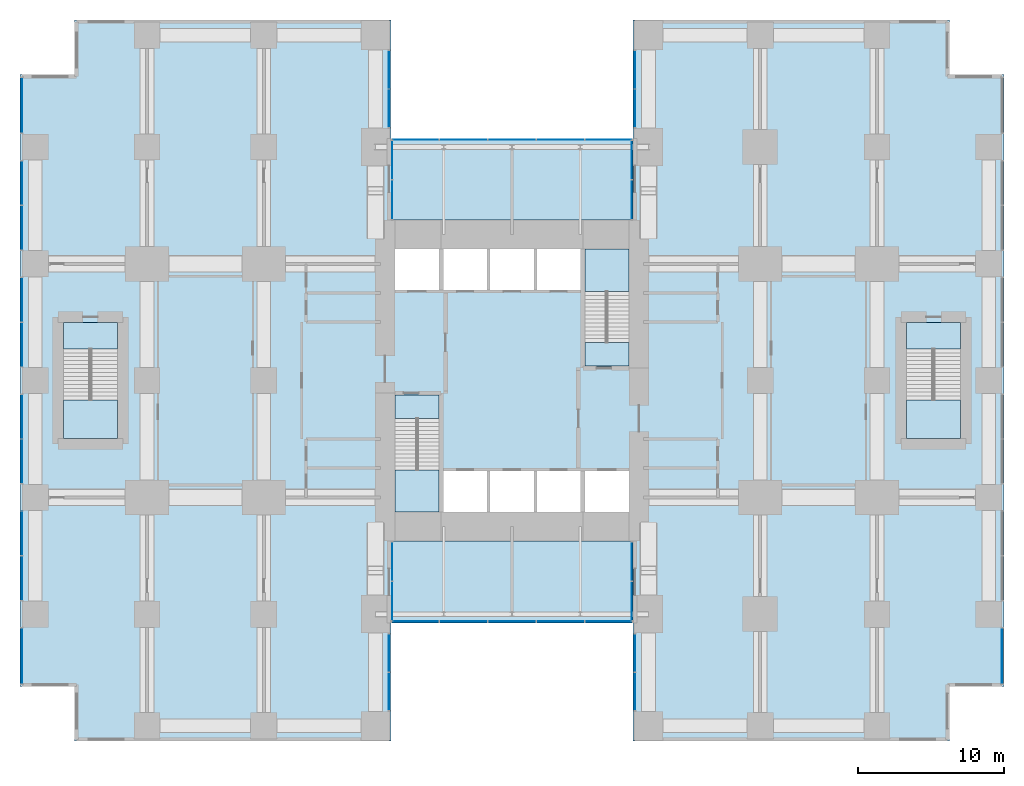
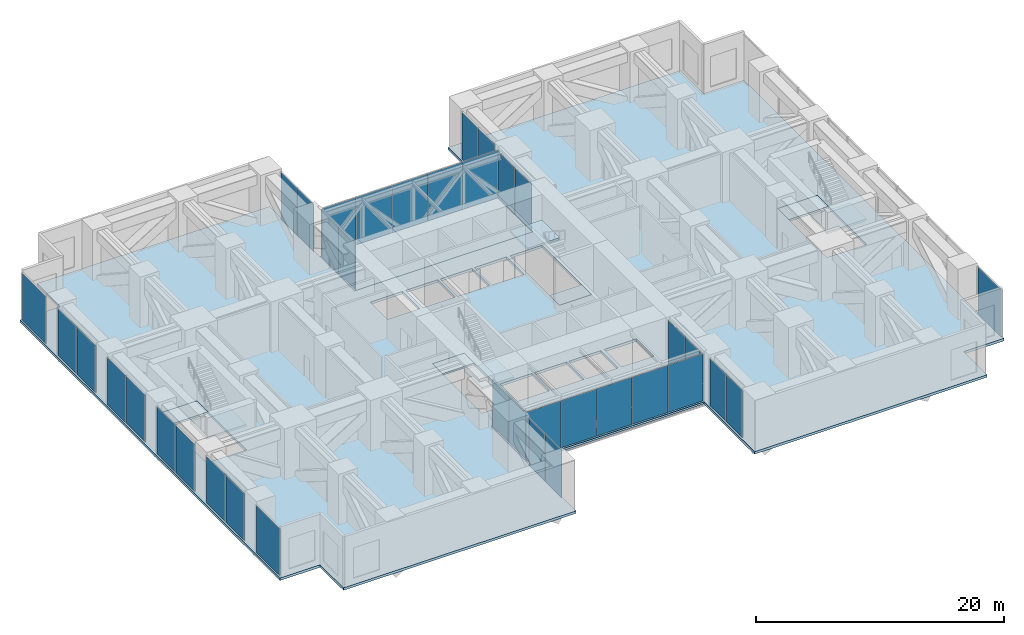
# One storey, part 13 of 19: 37 plates, 11 slabs, 21 elements without a shape of their own.
"""IFC4 building model written with IfcOpenShell, lengths in metres."""

from ifc_helpers import new_model, si_unit, direction, frame, origin, origin_2d, place, context, subcontext, project, spatial, polyline, rectangle, outline, extrude, material, layer, layer_set, type_object, element, aggregate, save


model = new_model("IFC4")

# Units and contexts
model_context = context("Model", 3, precision=1e-05, world=origin(), true_north=direction((0.0, 1.0)))
body_context = subcontext(model_context, "Body", "Model", "MODEL_VIEW")
ifc_project = project(units=[si_unit("LENGTHUNIT", "METRE"), si_unit("AREAUNIT", "SQUARE_METRE"), si_unit("VOLUMEUNIT", "CUBIC_METRE"), si_unit("PLANEANGLEUNIT", "RADIAN"), si_unit("MASSUNIT", "GRAM", prefix="KILO")], contexts=[model_context])

# Site, building, storey
site_placement = place(None, origin())
site = spatial("IfcSite", under=ifc_project, at=site_placement, CompositionType="ELEMENT")
building_placement = place(site_placement, origin())
building = spatial("IfcBuilding", under=site, at=building_placement, Name="Cleftline Residences", CompositionType="ELEMENT")
storey_placement = place(building_placement, frame((0.0, 0.0, 177.199951171875)))
storey = spatial("IfcBuildingStorey", under=building, at=storey_placement, Name="L46", CompositionType="ELEMENT", Elevation=177.199951171875)

# Slabs
ifc_material_1 = material(Name="Concrete B45", Category="concrete")
ifc_layer_1 = layer(ifc_material_1, 0.199951171875)
ifc_layer_set_1 = layer_set([ifc_layer_1], Name="BRIDGE FLOOR SLAB 200")
slab_type_1 = type_object("IfcSlabType", Name="BRIDGE FLOOR SLAB 200", PredefinedType="FLOOR", material=ifc_layer_set_1)
slab_1_placement = place(storey_placement, frame((0.0, 0.0, -0.199951171875)))
element("IfcSlab", 1, at=slab_1_placement, inside=storey, type_object=slab_type_1, Name="Sky bridge floor L46 N", PredefinedType="FLOOR", context=body_context, shape_type="SweptSolid", body=[
    extrude(outline(polyline([(41.300048828125, 35.0), (41.300048828125, 40.60009765625), (24.699951171875, 40.60009765625), (24.699951171875, 35.0), (41.300048828125, 35.0)])), origin(), (0.0, 0.0, 1.0), 0.199951171875),
])
slab_2_placement = place(storey_placement, frame((0.0, 0.0, -0.199951171875)))
element("IfcSlab", 2, at=slab_2_placement, inside=storey, type_object=slab_type_1, Name="Sky bridge floor L46 S", PredefinedType="FLOOR", context=body_context, shape_type="SweptSolid", body=[
    extrude(outline(polyline([(41.300048828125, 7.39990234375), (41.300048828125, 13.0), (24.699951171875, 13.0), (24.699951171875, 7.39990234375), (41.300048828125, 7.39990234375)])), origin(), (0.0, 0.0, 1.0), 0.199951171875),
])

# Curtain wall, plates
ifc_material_2 = material(Name="Aluminium framed curtain wall", Category="aluminium")
ifc_layer_2 = layer(ifc_material_2, 0.199951171875)
ifc_layer_set_2 = layer_set([ifc_layer_2], Name="CW1 CLEFT GLAZING")
curtain_wall_type_1 = type_object("IfcCurtainWallType", Name="CW1 CLEFT GLAZING", PredefinedType="NOTDEFINED", material=ifc_layer_set_2)
curtain_wall_1_placement = place(storey_placement, origin())
curtain_wall_1 = element("IfcCurtainWall", 3, at=curtain_wall_1_placement, inside=storey, type_object=curtain_wall_type_1, Name="Curtain wall CW1", PredefinedType="NOTDEFINED")
ifc_material_3 = material(Name="Insulated aluminium panel", Category="aluminium")
ifc_layer_3 = layer(ifc_material_3, 0.028076171875)
ifc_layer_set_3 = layer_set([ifc_layer_3], Name="CW1 INSULATED PANEL")
plate_type_1 = type_object("IfcPlateType", Name="CW1 INSULATED PANEL", PredefinedType="USERDEFINED", material=ifc_layer_set_3)
plate_1_placement = place(storey_placement, frame((24.574951171875, 2.702392578125, 0.06005859375), z_axis=(0.0, 0.0, 1.0), x_axis=(0.0, 1.0, 0.0)))
plate_1 = element("IfcPlate", 4, at=plate_1_placement, type_object=plate_type_1, Name="CW1 panel 1.1", ObjectType="INSULATED PANEL", PredefinedType="USERDEFINED", context=body_context, shape_type="SweptSolid", body=[
    extrude(rectangle(XDim=2.5849609375, YDim=0.028076171875, at=origin_2d()), origin(), (0.0, 0.0, 1.0), 4.6298828125),
])
plate_2_placement = place(storey_placement, frame((24.574951171875, 5.347412109375, 0.06005859375), z_axis=(0.0, 0.0, 1.0), x_axis=(0.0, 1.0, 0.0)))
plate_2 = element("IfcPlate", 5, at=plate_2_placement, type_object=plate_type_1, Name="CW1 panel 2.1", ObjectType="INSULATED PANEL", PredefinedType="USERDEFINED", context=body_context, shape_type="SweptSolid", body=[
    extrude(rectangle(XDim=2.5849609375, YDim=0.028076171875, at=origin_2d()), origin(), (0.0, 0.0, 1.0), 4.6298828125),
])
aggregate(curtain_wall_1, [plate_1, plate_2])

curtain_wall_2_placement = place(storey_placement, origin())
curtain_wall_2 = element("IfcCurtainWall", 6, at=curtain_wall_2_placement, inside=storey, type_object=curtain_wall_type_1, Name="Curtain wall CW1", PredefinedType="NOTDEFINED")
plate_3_placement = place(storey_placement, frame((41.425048828125, 5.347412109375, 0.06005859375), z_axis=(0.0, 0.0, 1.0), x_axis=(0.0, -1.0, 0.0)))
plate_3 = element("IfcPlate", 7, at=plate_3_placement, type_object=plate_type_1, Name="CW1 panel 1.1", ObjectType="INSULATED PANEL", PredefinedType="USERDEFINED", context=body_context, shape_type="SweptSolid", body=[
    extrude(rectangle(XDim=2.5849609375, YDim=0.028076171875, at=origin_2d()), origin(), (0.0, 0.0, 1.0), 4.6298828125),
])
plate_4_placement = place(storey_placement, frame((41.425048828125, 2.702392578125, 0.06005859375), z_axis=(0.0, 0.0, 1.0), x_axis=(0.0, -1.0, 0.0)))
plate_4 = element("IfcPlate", 8, at=plate_4_placement, type_object=plate_type_1, Name="CW1 panel 2.1", ObjectType="INSULATED PANEL", PredefinedType="USERDEFINED", context=body_context, shape_type="SweptSolid", body=[
    extrude(rectangle(XDim=2.5849609375, YDim=0.028076171875, at=origin_2d()), origin(), (0.0, 0.0, 1.0), 4.6298828125),
])
aggregate(curtain_wall_2, [plate_3, plate_4])

curtain_wall_3_placement = place(storey_placement, origin())
curtain_wall_3 = element("IfcCurtainWall", 9, at=curtain_wall_3_placement, inside=storey, type_object=curtain_wall_type_1, Name="Curtain wall CW1", PredefinedType="NOTDEFINED")
plate_5_placement = place(storey_placement, frame((41.425048828125, 45.297607421875, 0.06005859375), z_axis=(0.0, 0.0, 1.0), x_axis=(0.0, -1.0, 0.0)))
plate_5 = element("IfcPlate", 10, at=plate_5_placement, type_object=plate_type_1, Name="CW1 panel 1.1", ObjectType="INSULATED PANEL", PredefinedType="USERDEFINED", context=body_context, shape_type="SweptSolid", body=[
    extrude(rectangle(XDim=2.5849609375, YDim=0.028076171875, at=origin_2d()), origin(), (0.0, 0.0, 1.0), 4.6298828125),
])
plate_6_placement = place(storey_placement, frame((41.425048828125, 42.652587890625, 0.06005859375), z_axis=(0.0, 0.0, 1.0), x_axis=(0.0, -1.0, 0.0)))
plate_6 = element("IfcPlate", 11, at=plate_6_placement, type_object=plate_type_1, Name="CW1 panel 2.1", ObjectType="INSULATED PANEL", PredefinedType="USERDEFINED", context=body_context, shape_type="SweptSolid", body=[
    extrude(rectangle(XDim=2.5849609375, YDim=0.028076171875, at=origin_2d()), origin(), (0.0, 0.0, 1.0), 4.6298828125),
])
aggregate(curtain_wall_3, [plate_5, plate_6])

curtain_wall_4_placement = place(storey_placement, origin())
curtain_wall_4 = element("IfcCurtainWall", 12, at=curtain_wall_4_placement, inside=storey, type_object=curtain_wall_type_1, Name="Curtain wall CW1", PredefinedType="NOTDEFINED")
plate_7_placement = place(storey_placement, frame((24.574951171875, 42.652587890625, 0.06005859375), z_axis=(0.0, 0.0, 1.0), x_axis=(0.0, 1.0, 0.0)))
plate_7 = element("IfcPlate", 13, at=plate_7_placement, type_object=plate_type_1, Name="CW1 panel 1.1", ObjectType="INSULATED PANEL", PredefinedType="USERDEFINED", context=body_context, shape_type="SweptSolid", body=[
    extrude(rectangle(XDim=2.5849609375, YDim=0.028076171875, at=origin_2d()), origin(), (0.0, 0.0, 1.0), 4.6298828125),
])
plate_8_placement = place(storey_placement, frame((24.574951171875, 45.297607421875, 0.06005859375), z_axis=(0.0, 0.0, 1.0), x_axis=(0.0, 1.0, 0.0)))
plate_8 = element("IfcPlate", 14, at=plate_8_placement, type_object=plate_type_1, Name="CW1 panel 2.1", ObjectType="INSULATED PANEL", PredefinedType="USERDEFINED", context=body_context, shape_type="SweptSolid", body=[
    extrude(rectangle(XDim=2.5849609375, YDim=0.028076171875, at=origin_2d()), origin(), (0.0, 0.0, 1.0), 4.6298828125),
])
aggregate(curtain_wall_4, [plate_7, plate_8])

ifc_material_4 = material(Name="Aluminium framed curtain wall", Category="aluminium")
ifc_layer_4 = layer(ifc_material_4, 0.199951171875)
ifc_layer_set_4 = layer_set([ifc_layer_4], Name="CW3 BRIDGE GLAZING")
curtain_wall_type_2 = type_object("IfcCurtainWallType", Name="CW3 BRIDGE GLAZING", PredefinedType="NOTDEFINED", material=ifc_layer_set_4)
curtain_wall_5_placement = place(storey_placement, origin())
curtain_wall_5 = element("IfcCurtainWall", 15, at=curtain_wall_5_placement, inside=storey, type_object=curtain_wall_type_2, Name="Curtain wall CW3", PredefinedType="NOTDEFINED")
ifc_material_5 = material(Name="Insulated aluminium panel", Category="aluminium")
ifc_layer_5 = layer(ifc_material_5, 0.028076171875)
ifc_layer_set_5 = layer_set([ifc_layer_5], Name="CW3 INSULATED PANEL")
plate_type_2 = type_object("IfcPlateType", Name="CW3 INSULATED PANEL", PredefinedType="USERDEFINED", material=ifc_layer_set_5)
plate_9_placement = place(storey_placement, frame((39.625, 40.5, 0.06005859375), z_axis=(0.0, 0.0, 1.0), x_axis=(-1.0, 0.0, 0.0)))
plate_9 = element("IfcPlate", 16, at=plate_9_placement, type_object=plate_type_2, Name="CW3 panel 1.1", ObjectType="INSULATED PANEL", PredefinedType="USERDEFINED", context=body_context, shape_type="SweptSolid", body=[
    extrude(rectangle(XDim=3.22998046875, YDim=0.028076171875, at=origin_2d()), origin(), (0.0, 0.0, 1.0), 4.6298828125),
])
plate_10_placement = place(storey_placement, frame((36.320068359375, 40.5, 0.06005859375), z_axis=(0.0, 0.0, 1.0), x_axis=(-1.0, 0.0, 0.0)))
plate_10 = element("IfcPlate", 17, at=plate_10_placement, type_object=plate_type_2, Name="CW3 panel 2.1", ObjectType="INSULATED PANEL", PredefinedType="USERDEFINED", context=body_context, shape_type="SweptSolid", body=[
    extrude(rectangle(XDim=3.260009765625, YDim=0.028076171875, at=origin_2d()), origin(), (0.0, 0.0, 1.0), 4.6298828125),
])
plate_11_placement = place(storey_placement, frame((33.0, 40.5, 0.06005859375), z_axis=(0.0, 0.0, 1.0), x_axis=(-1.0, 0.0, 0.0)))
plate_11 = element("IfcPlate", 18, at=plate_11_placement, type_object=plate_type_2, Name="CW3 panel 3.1", ObjectType="INSULATED PANEL", PredefinedType="USERDEFINED", context=body_context, shape_type="SweptSolid", body=[
    extrude(rectangle(XDim=3.260009765625, YDim=0.028076171875, at=origin_2d()), origin(), (0.0, 0.0, 1.0), 4.6298828125),
])
plate_12_placement = place(storey_placement, frame((29.679931640625, 40.5, 0.06005859375), z_axis=(0.0, 0.0, 1.0), x_axis=(-1.0, 0.0, 0.0)))
plate_12 = element("IfcPlate", 19, at=plate_12_placement, type_object=plate_type_2, Name="CW3 panel 4.1", ObjectType="INSULATED PANEL", PredefinedType="USERDEFINED", context=body_context, shape_type="SweptSolid", body=[
    extrude(rectangle(XDim=3.260009765625, YDim=0.028076171875, at=origin_2d()), origin(), (0.0, 0.0, 1.0), 4.6298828125),
])
plate_13_placement = place(storey_placement, frame((26.375, 40.5, 0.06005859375), z_axis=(0.0, 0.0, 1.0), x_axis=(-1.0, 0.0, 0.0)))
plate_13 = element("IfcPlate", 20, at=plate_13_placement, type_object=plate_type_2, Name="CW3 panel 5.1", ObjectType="INSULATED PANEL", PredefinedType="USERDEFINED", context=body_context, shape_type="SweptSolid", body=[
    extrude(rectangle(XDim=3.22998046875, YDim=0.028076171875, at=origin_2d()), origin(), (0.0, 0.0, 1.0), 4.6298828125),
])
aggregate(curtain_wall_5, [plate_9, plate_10, plate_11, plate_12, plate_13])

curtain_wall_6_placement = place(storey_placement, origin())
curtain_wall_6 = element("IfcCurtainWall", 21, at=curtain_wall_6_placement, inside=storey, type_object=curtain_wall_type_2, Name="Curtain wall CW3", PredefinedType="NOTDEFINED")
plate_14_placement = place(storey_placement, frame((24.800048828125, 36.389892578125, 0.06005859375), z_axis=(0.0, 0.0, 1.0), x_axis=(0.0, 1.0, 0.0)))
plate_14 = element("IfcPlate", 22, at=plate_14_placement, type_object=plate_type_2, Name="CW3 panel 1.1", ObjectType="INSULATED PANEL", PredefinedType="USERDEFINED", context=body_context, shape_type="SweptSolid", body=[
    extrude(rectangle(XDim=2.659912109375, YDim=0.028076171875, at=origin_2d()), origin(), (0.0, 0.0, 1.0), 4.6298828125),
])
plate_15_placement = place(storey_placement, frame((24.800048828125, 39.110107421875, 0.06005859375), z_axis=(0.0, 0.0, 1.0), x_axis=(0.0, 1.0, 0.0)))
plate_15 = element("IfcPlate", 23, at=plate_15_placement, type_object=plate_type_2, Name="CW3 panel 2.1", ObjectType="INSULATED PANEL", PredefinedType="USERDEFINED", context=body_context, shape_type="SweptSolid", body=[
    extrude(rectangle(XDim=2.659912109375, YDim=0.028076171875, at=origin_2d()), origin(), (0.0, 0.0, 1.0), 4.6298828125),
])
aggregate(curtain_wall_6, [plate_14, plate_15])

curtain_wall_7_placement = place(storey_placement, origin())
curtain_wall_7 = element("IfcCurtainWall", 24, at=curtain_wall_7_placement, inside=storey, type_object=curtain_wall_type_2, Name="Curtain wall CW3", PredefinedType="NOTDEFINED")
plate_16_placement = place(storey_placement, frame((41.199951171875, 39.110107421875, 0.06005859375), z_axis=(0.0, 0.0, 1.0), x_axis=(0.0, -1.0, 0.0)))
plate_16 = element("IfcPlate", 25, at=plate_16_placement, type_object=plate_type_2, Name="CW3 panel 1.1", ObjectType="INSULATED PANEL", PredefinedType="USERDEFINED", context=body_context, shape_type="SweptSolid", body=[
    extrude(rectangle(XDim=2.659912109375, YDim=0.028076171875, at=origin_2d()), origin(), (0.0, 0.0, 1.0), 4.6298828125),
])
plate_17_placement = place(storey_placement, frame((41.199951171875, 36.389892578125, 0.06005859375), z_axis=(0.0, 0.0, 1.0), x_axis=(0.0, -1.0, 0.0)))
plate_17 = element("IfcPlate", 26, at=plate_17_placement, type_object=plate_type_2, Name="CW3 panel 2.1", ObjectType="INSULATED PANEL", PredefinedType="USERDEFINED", context=body_context, shape_type="SweptSolid", body=[
    extrude(rectangle(XDim=2.659912109375, YDim=0.028076171875, at=origin_2d()), origin(), (0.0, 0.0, 1.0), 4.6298828125),
])
aggregate(curtain_wall_7, [plate_16, plate_17])

curtain_wall_8_placement = place(storey_placement, origin())
curtain_wall_8 = element("IfcCurtainWall", 27, at=curtain_wall_8_placement, inside=storey, type_object=curtain_wall_type_2, Name="Curtain wall CW3", PredefinedType="NOTDEFINED")
plate_18_placement = place(storey_placement, frame((26.375, 7.5, 0.06005859375), z_axis=(0.0, 0.0, 1.0), x_axis=(1.0, 0.0, 0.0)))
plate_18 = element("IfcPlate", 28, at=plate_18_placement, type_object=plate_type_2, Name="CW3 panel 1.1", ObjectType="INSULATED PANEL", PredefinedType="USERDEFINED", context=body_context, shape_type="SweptSolid", body=[
    extrude(rectangle(XDim=3.22998046875, YDim=0.028076171875, at=origin_2d()), origin(), (0.0, 0.0, 1.0), 4.6298828125),
])
plate_19_placement = place(storey_placement, frame((29.679931640625, 7.5, 0.06005859375), z_axis=(0.0, 0.0, 1.0), x_axis=(1.0, 0.0, 0.0)))
plate_19 = element("IfcPlate", 29, at=plate_19_placement, type_object=plate_type_2, Name="CW3 panel 2.1", ObjectType="INSULATED PANEL", PredefinedType="USERDEFINED", context=body_context, shape_type="SweptSolid", body=[
    extrude(rectangle(XDim=3.260009765625, YDim=0.028076171875, at=origin_2d()), origin(), (0.0, 0.0, 1.0), 4.6298828125),
])
plate_20_placement = place(storey_placement, frame((33.0, 7.5, 0.06005859375), z_axis=(0.0, 0.0, 1.0), x_axis=(1.0, 0.0, 0.0)))
plate_20 = element("IfcPlate", 30, at=plate_20_placement, type_object=plate_type_2, Name="CW3 panel 3.1", ObjectType="INSULATED PANEL", PredefinedType="USERDEFINED", context=body_context, shape_type="SweptSolid", body=[
    extrude(rectangle(XDim=3.260009765625, YDim=0.028076171875, at=origin_2d()), origin(), (0.0, 0.0, 1.0), 4.6298828125),
])
plate_21_placement = place(storey_placement, frame((36.320068359375, 7.5, 0.06005859375), z_axis=(0.0, 0.0, 1.0), x_axis=(1.0, 0.0, 0.0)))
plate_21 = element("IfcPlate", 31, at=plate_21_placement, type_object=plate_type_2, Name="CW3 panel 4.1", ObjectType="INSULATED PANEL", PredefinedType="USERDEFINED", context=body_context, shape_type="SweptSolid", body=[
    extrude(rectangle(XDim=3.260009765625, YDim=0.028076171875, at=origin_2d()), origin(), (0.0, 0.0, 1.0), 4.6298828125),
])
plate_22_placement = place(storey_placement, frame((39.625, 7.5, 0.06005859375), z_axis=(0.0, 0.0, 1.0), x_axis=(1.0, 0.0, 0.0)))
plate_22 = element("IfcPlate", 32, at=plate_22_placement, type_object=plate_type_2, Name="CW3 panel 5.1", ObjectType="INSULATED PANEL", PredefinedType="USERDEFINED", context=body_context, shape_type="SweptSolid", body=[
    extrude(rectangle(XDim=3.22998046875, YDim=0.028076171875, at=origin_2d()), origin(), (0.0, 0.0, 1.0), 4.6298828125),
])
aggregate(curtain_wall_8, [plate_18, plate_19, plate_20, plate_21, plate_22])

curtain_wall_9_placement = place(storey_placement, origin())
curtain_wall_9 = element("IfcCurtainWall", 33, at=curtain_wall_9_placement, inside=storey, type_object=curtain_wall_type_2, Name="Curtain wall CW3", PredefinedType="NOTDEFINED")
plate_23_placement = place(storey_placement, frame((24.800048828125, 8.889892578125, 0.06005859375), z_axis=(0.0, 0.0, 1.0), x_axis=(0.0, 1.0, 0.0)))
plate_23 = element("IfcPlate", 34, at=plate_23_placement, type_object=plate_type_2, Name="CW3 panel 1.1", ObjectType="INSULATED PANEL", PredefinedType="USERDEFINED", context=body_context, shape_type="SweptSolid", body=[
    extrude(rectangle(XDim=2.659912109375, YDim=0.028076171875, at=origin_2d()), origin(), (0.0, 0.0, 1.0), 4.6298828125),
])
plate_24_placement = place(storey_placement, frame((24.800048828125, 11.610107421875, 0.06005859375), z_axis=(0.0, 0.0, 1.0), x_axis=(0.0, 1.0, 0.0)))
plate_24 = element("IfcPlate", 35, at=plate_24_placement, type_object=plate_type_2, Name="CW3 panel 2.1", ObjectType="INSULATED PANEL", PredefinedType="USERDEFINED", context=body_context, shape_type="SweptSolid", body=[
    extrude(rectangle(XDim=2.659912109375, YDim=0.028076171875, at=origin_2d()), origin(), (0.0, 0.0, 1.0), 4.6298828125),
])
aggregate(curtain_wall_9, [plate_23, plate_24])

curtain_wall_10_placement = place(storey_placement, origin())
curtain_wall_10 = element("IfcCurtainWall", 36, at=curtain_wall_10_placement, inside=storey, type_object=curtain_wall_type_2, Name="Curtain wall CW3", PredefinedType="NOTDEFINED")
plate_25_placement = place(storey_placement, frame((41.199951171875, 11.610107421875, 0.06005859375), z_axis=(0.0, 0.0, 1.0), x_axis=(0.0, -1.0, 0.0)))
plate_25 = element("IfcPlate", 37, at=plate_25_placement, type_object=plate_type_2, Name="CW3 panel 1.1", ObjectType="INSULATED PANEL", PredefinedType="USERDEFINED", context=body_context, shape_type="SweptSolid", body=[
    extrude(rectangle(XDim=2.659912109375, YDim=0.028076171875, at=origin_2d()), origin(), (0.0, 0.0, 1.0), 4.6298828125),
])
plate_26_placement = place(storey_placement, frame((41.199951171875, 8.889892578125, 0.06005859375), z_axis=(0.0, 0.0, 1.0), x_axis=(0.0, -1.0, 0.0)))
plate_26 = element("IfcPlate", 38, at=plate_26_placement, type_object=plate_type_2, Name="CW3 panel 2.1", ObjectType="INSULATED PANEL", PredefinedType="USERDEFINED", context=body_context, shape_type="SweptSolid", body=[
    extrude(rectangle(XDim=2.659912109375, YDim=0.028076171875, at=origin_2d()), origin(), (0.0, 0.0, 1.0), 4.6298828125),
])
aggregate(curtain_wall_10, [plate_25, plate_26])

# Curtain wall, plate
ifc_material_6 = material(Name="Aluminium framed curtain wall", Category="aluminium")
ifc_layer_6 = layer(ifc_material_6, 0.199951171875)
ifc_layer_set_6 = layer_set([ifc_layer_6], Name="CW4 SKY LOUNGE GLAZING")
curtain_wall_type_3 = type_object("IfcCurtainWallType", Name="CW4 SKY LOUNGE GLAZING", PredefinedType="NOTDEFINED", material=ifc_layer_set_6)
curtain_wall_11_placement = place(storey_placement, origin())
curtain_wall_11 = element("IfcCurtainWall", 39, at=curtain_wall_11_placement, inside=storey, type_object=curtain_wall_type_3, Name="Curtain wall CW4", PredefinedType="NOTDEFINED")
ifc_material_7 = material(Name="Laminated clear glass", Category="glass")
ifc_layer_7 = layer(ifc_material_7, 0.028076171875)
ifc_layer_set_7 = layer_set([ifc_layer_7], Name="CW4 GLASS PANEL")
plate_type_3 = type_object("IfcPlateType", Name="CW4 GLASS PANEL", PredefinedType="CURTAIN_PANEL", material=ifc_layer_set_7)
plate_27_placement = place(storey_placement, frame((66.574951171875, 5.137451171875, 0.06494140625), z_axis=(0.0, 0.0, 1.0), x_axis=(0.0, 1.0, 0.0)))
plate_27 = element("IfcPlate", 40, at=plate_27_placement, type_object=plate_type_3, Name="CW4 panel 1.1", PredefinedType="CURTAIN_PANEL", context=body_context, shape_type="SweptSolid", body=[
    extrude(rectangle(XDim=3.794921875, YDim=0.028076171875, at=origin_2d()), origin(), (0.0, 0.0, 1.0), 4.6201171875),
])
aggregate(curtain_wall_11, [plate_27])

curtain_wall_12_placement = place(storey_placement, origin())
curtain_wall_12 = element("IfcCurtainWall", 41, at=curtain_wall_12_placement, inside=storey, type_object=curtain_wall_type_3, Name="Curtain wall CW4", PredefinedType="NOTDEFINED")
plate_28_placement = place(storey_placement, frame((-0.574951171875, 42.862548828125, 0.06494140625), z_axis=(0.0, 0.0, 1.0), x_axis=(0.0, -1.0, 0.0)))
plate_28 = element("IfcPlate", 42, at=plate_28_placement, type_object=plate_type_3, Name="CW4 panel 1.1", PredefinedType="CURTAIN_PANEL", context=body_context, shape_type="SweptSolid", body=[
    extrude(rectangle(XDim=3.794921875, YDim=0.028076171875, at=origin_2d()), origin(), (0.0, 0.0, 1.0), 4.6201171875),
])
aggregate(curtain_wall_12, [plate_28])

curtain_wall_13_placement = place(storey_placement, origin())
curtain_wall_13 = element("IfcCurtainWall", 43, at=curtain_wall_13_placement, inside=storey, type_object=curtain_wall_type_3, Name="Curtain wall CW4", PredefinedType="NOTDEFINED")
plate_29_placement = place(storey_placement, frame((-0.574951171875, 5.137451171875, 0.06494140625), z_axis=(0.0, 0.0, 1.0), x_axis=(0.0, -1.0, 0.0)))
plate_29 = element("IfcPlate", 44, at=plate_29_placement, type_object=plate_type_3, Name="CW4 panel 1.1", PredefinedType="CURTAIN_PANEL", context=body_context, shape_type="SweptSolid", body=[
    extrude(rectangle(XDim=3.794921875, YDim=0.028076171875, at=origin_2d()), origin(), (0.0, 0.0, 1.0), 4.6201171875),
])
aggregate(curtain_wall_13, [plate_29])

# Curtain wall, plates
curtain_wall_14_placement = place(storey_placement, origin())
curtain_wall_14 = element("IfcCurtainWall", 45, at=curtain_wall_14_placement, inside=storey, type_object=curtain_wall_type_3, Name="Curtain wall CW4", PredefinedType="NOTDEFINED")
ifc_material_8 = material(Name="Insulated aluminium panel", Category="aluminium")
ifc_layer_8 = layer(ifc_material_8, 0.028076171875)
ifc_layer_set_8 = layer_set([ifc_layer_8], Name="CW4 INSULATED PANEL")
plate_type_4 = type_object("IfcPlateType", Name="CW4 INSULATED PANEL", PredefinedType="USERDEFINED", material=ifc_layer_set_8)
plate_30_placement = place(storey_placement, frame((-0.574951171875, 37.53369140625, 0.06494140625), z_axis=(0.0, 0.0, 1.0), x_axis=(0.0, -1.0, 0.0)))
plate_30 = element("IfcPlate", 46, at=plate_30_placement, type_object=plate_type_4, Name="CW4 panel 1.1", ObjectType="INSULATED PANEL", PredefinedType="USERDEFINED", context=body_context, shape_type="SweptSolid", body=[
    extrude(rectangle(XDim=3.00244140625, YDim=0.028076171875, at=origin_2d()), origin(), (0.0, 0.0, 1.0), 4.6201171875),
])
plate_31_placement = place(storey_placement, frame((-0.574951171875, 34.46630859375, 0.06494140625), z_axis=(0.0, 0.0, 1.0), x_axis=(0.0, -1.0, 0.0)))
plate_31 = element("IfcPlate", 47, at=plate_31_placement, type_object=plate_type_4, Name="CW4 panel 2.1", ObjectType="INSULATED PANEL", PredefinedType="USERDEFINED", context=body_context, shape_type="SweptSolid", body=[
    extrude(rectangle(XDim=3.00244140625, YDim=0.028076171875, at=origin_2d()), origin(), (0.0, 0.0, 1.0), 4.6201171875),
])
aggregate(curtain_wall_14, [plate_30, plate_31])

curtain_wall_15_placement = place(storey_placement, origin())
curtain_wall_15 = element("IfcCurtainWall", 48, at=curtain_wall_15_placement, inside=storey, type_object=curtain_wall_type_3, Name="Curtain wall CW4", PredefinedType="NOTDEFINED")
plate_32_placement = place(storey_placement, frame((-0.574951171875, 29.53369140625, 0.06494140625), z_axis=(0.0, 0.0, 1.0), x_axis=(0.0, -1.0, 0.0)))
plate_32 = element("IfcPlate", 49, at=plate_32_placement, type_object=plate_type_4, Name="CW4 panel 1.1", ObjectType="INSULATED PANEL", PredefinedType="USERDEFINED", context=body_context, shape_type="SweptSolid", body=[
    extrude(rectangle(XDim=3.00244140625, YDim=0.028076171875, at=origin_2d()), origin(), (0.0, 0.0, 1.0), 4.6201171875),
])
plate_33_placement = place(storey_placement, frame((-0.574951171875, 26.46630859375, 0.06494140625), z_axis=(0.0, 0.0, 1.0), x_axis=(0.0, -1.0, 0.0)))
plate_33 = element("IfcPlate", 50, at=plate_33_placement, type_object=plate_type_4, Name="CW4 panel 2.1", ObjectType="INSULATED PANEL", PredefinedType="USERDEFINED", context=body_context, shape_type="SweptSolid", body=[
    extrude(rectangle(XDim=3.00244140625, YDim=0.028076171875, at=origin_2d()), origin(), (0.0, 0.0, 1.0), 4.6201171875),
])
aggregate(curtain_wall_15, [plate_32, plate_33])

curtain_wall_16_placement = place(storey_placement, origin())
curtain_wall_16 = element("IfcCurtainWall", 51, at=curtain_wall_16_placement, inside=storey, type_object=curtain_wall_type_3, Name="Curtain wall CW4", PredefinedType="NOTDEFINED")
plate_34_placement = place(storey_placement, frame((-0.574951171875, 21.53369140625, 0.06494140625), z_axis=(0.0, 0.0, 1.0), x_axis=(0.0, -1.0, 0.0)))
plate_34 = element("IfcPlate", 52, at=plate_34_placement, type_object=plate_type_4, Name="CW4 panel 1.1", ObjectType="INSULATED PANEL", PredefinedType="USERDEFINED", context=body_context, shape_type="SweptSolid", body=[
    extrude(rectangle(XDim=3.00244140625, YDim=0.028076171875, at=origin_2d()), origin(), (0.0, 0.0, 1.0), 4.6201171875),
])
plate_35_placement = place(storey_placement, frame((-0.574951171875, 18.46630859375, 0.06494140625), z_axis=(0.0, 0.0, 1.0), x_axis=(0.0, -1.0, 0.0)))
plate_35 = element("IfcPlate", 53, at=plate_35_placement, type_object=plate_type_4, Name="CW4 panel 2.1", ObjectType="INSULATED PANEL", PredefinedType="USERDEFINED", context=body_context, shape_type="SweptSolid", body=[
    extrude(rectangle(XDim=3.00244140625, YDim=0.028076171875, at=origin_2d()), origin(), (0.0, 0.0, 1.0), 4.6201171875),
])
aggregate(curtain_wall_16, [plate_34, plate_35])

curtain_wall_17_placement = place(storey_placement, origin())
curtain_wall_17 = element("IfcCurtainWall", 54, at=curtain_wall_17_placement, inside=storey, type_object=curtain_wall_type_3, Name="Curtain wall CW4", PredefinedType="NOTDEFINED")
plate_36_placement = place(storey_placement, frame((-0.574951171875, 13.53369140625, 0.06494140625), z_axis=(0.0, 0.0, 1.0), x_axis=(0.0, -1.0, 0.0)))
plate_36 = element("IfcPlate", 55, at=plate_36_placement, type_object=plate_type_4, Name="CW4 panel 1.1", ObjectType="INSULATED PANEL", PredefinedType="USERDEFINED", context=body_context, shape_type="SweptSolid", body=[
    extrude(rectangle(XDim=3.00244140625, YDim=0.028076171875, at=origin_2d()), origin(), (0.0, 0.0, 1.0), 4.6201171875),
])
plate_37_placement = place(storey_placement, frame((-0.574951171875, 10.46630859375, 0.06494140625), z_axis=(0.0, 0.0, 1.0), x_axis=(0.0, -1.0, 0.0)))
plate_37 = element("IfcPlate", 56, at=plate_37_placement, type_object=plate_type_4, Name="CW4 panel 2.1", ObjectType="INSULATED PANEL", PredefinedType="USERDEFINED", context=body_context, shape_type="SweptSolid", body=[
    extrude(rectangle(XDim=3.00244140625, YDim=0.028076171875, at=origin_2d()), origin(), (0.0, 0.0, 1.0), 4.6201171875),
])
aggregate(curtain_wall_17, [plate_36, plate_37])

# Slab
ifc_material_9 = material(Name="Concrete B45", Category="concrete")
ifc_layer_9 = layer(ifc_material_9, 0.25)
ifc_layer_set_9 = layer_set([ifc_layer_9], Name="FLOOR SLAB 250")
slab_type_2 = type_object("IfcSlabType", Name="FLOOR SLAB 250", PredefinedType="FLOOR", material=ifc_layer_set_9)
slab_3_placement = place(storey_placement, frame((0.0, 0.0, -0.25)))
element("IfcSlab", 57, at=slab_3_placement, inside=storey, type_object=slab_type_2, Name="Floor slab L46", PredefinedType="FLOOR", context=body_context, shape_type="SweptSolid", body=[
    extrude(outline(polyline([(24.699951171875, 13.0), (41.300048828125, 13.0), (41.300048828125, -0.699951171875), (62.949951171875, -0.699951171875), (62.949951171875, 3.050048828125), (66.699951171875, 3.050048828125), (66.699951171875, 44.949951171875), (62.949951171875, 44.949951171875), (62.949951171875, 48.699951171875), (41.300048828125, 48.699951171875), (41.300048828125, 35.0), (24.699951171875, 35.0), (24.699951171875, 48.699951171875), (3.050048828125, 48.699951171875), (3.050048828125, 44.949951171875), (-0.699951171875, 44.949951171875), (-0.699951171875, 3.050048828125), (3.050048828125, 3.050048828125), (3.050048828125, -0.699951171875), (24.699951171875, -0.699951171875), (24.699951171875, 13.0)]), holes=[polyline([(28.0, 15.0), (28.0, 23.0), (25.0, 23.0), (25.0, 15.0), (28.0, 15.0)]), polyline([(41.0, 25.0), (41.0, 33.0), (38.0, 33.0), (38.0, 25.0), (41.0, 25.0)]), polyline([(28.0, 30.199951171875), (28.0, 33.0), (25.0, 33.0), (25.0, 30.199951171875), (28.0, 30.199951171875)]), polyline([(41.0, 15.0), (41.0, 17.800048828125), (38.0, 17.800048828125), (38.0, 15.0), (41.0, 15.0)]), polyline([(31.300048828125, 15.0), (31.300048828125, 17.800048828125), (28.300048828125, 17.800048828125), (28.300048828125, 15.0), (31.300048828125, 15.0)]), polyline([(34.5, 15.0), (34.5, 17.800048828125), (31.5, 17.800048828125), (31.5, 15.0), (34.5, 15.0)]), polyline([(37.699951171875, 15.0), (37.699951171875, 17.800048828125), (34.699951171875, 17.800048828125), (34.699951171875, 15.0), (37.699951171875, 15.0)]), polyline([(31.300048828125, 30.199951171875), (31.300048828125, 33.0), (28.300048828125, 33.0), (28.300048828125, 30.199951171875), (31.300048828125, 30.199951171875)]), polyline([(34.5, 30.199951171875), (34.5, 33.0), (31.5, 33.0), (31.5, 30.199951171875), (34.5, 30.199951171875)]), polyline([(37.699951171875, 30.199951171875), (37.699951171875, 33.0), (34.699951171875, 33.0), (34.699951171875, 30.199951171875), (37.699951171875, 30.199951171875)]), polyline([(63.72509765625, 20.02490234375), (63.72509765625, 27.97509765625), (60.02490234375, 27.97509765625), (60.02490234375, 20.02490234375), (63.72509765625, 20.02490234375)]), polyline([(5.97509765625, 20.02490234375), (5.97509765625, 27.97509765625), (2.27490234375, 27.97509765625), (2.27490234375, 20.02490234375), (5.97509765625, 20.02490234375)])]), origin(), (0.0, 0.0, 1.0), 0.25),
])

# Stair, slabs
ifc_material_10 = material(Name="Concrete B45, stone treads", Category="masonry")
stair_type_1 = type_object("IfcStairType", Name="STAIR A 1450 WIDE 179 RISER", PredefinedType="HALF_TURN_STAIR", material=ifc_material_10)
stair_1_placement = place(storey_placement, origin())
stair_1 = element("IfcStair", 58, at=stair_1_placement, inside=storey, type_object=stair_type_1, Name="Stair A L46", PredefinedType="HALF_TURN_STAIR")
ifc_material_11 = material(Name="Concrete B45", Category="concrete")
ifc_layer_10 = layer(ifc_material_11, 0.199951171875)
ifc_layer_set_10 = layer_set([ifc_layer_10], Name="STAIR LANDING 200")
slab_type_3 = type_object("IfcSlabType", Name="STAIR LANDING 200", PredefinedType="LANDING", material=ifc_layer_set_10)
slab_4_placement = place(storey_placement, frame((0.0, 0.0, -0.199951171875)))
slab_4 = element("IfcSlab", 59, at=slab_4_placement, type_object=slab_type_3, Name="ST-A landing 1", PredefinedType="LANDING", context=body_context, shape_type="SweptSolid", body=[
    extrude(outline(polyline([(25.0, 21.39990234375), (28.0, 21.39990234375), (28.0, 23.0), (25.0, 23.0), (25.0, 21.39990234375)])), origin(), (0.0, 0.0, 1.0), 0.199951171875),
])
slab_5_placement = place(storey_placement, frame((0.0, 0.0, 2.300048828125)))
slab_5 = element("IfcSlab", 60, at=slab_5_placement, type_object=slab_type_3, Name="ST-A landing 2", PredefinedType="LANDING", context=body_context, shape_type="SweptSolid", body=[
    extrude(outline(polyline([(25.0, 15.0), (28.0, 15.0), (28.0, 17.889892578125), (25.0, 17.889892578125), (25.0, 15.0)])), origin(), (0.0, 0.0, 1.0), 0.199951171875),
])
aggregate(stair_1, [slab_4, slab_5])

ifc_material_12 = material(Name="Concrete B45, stone treads", Category="masonry")
stair_type_2 = type_object("IfcStairType", Name="STAIR B 1450 WIDE 179 RISER", PredefinedType="HALF_TURN_STAIR", material=ifc_material_12)
stair_2_placement = place(storey_placement, origin())
stair_2 = element("IfcStair", 61, at=stair_2_placement, inside=storey, type_object=stair_type_2, Name="Stair B L46", PredefinedType="HALF_TURN_STAIR")
slab_6_placement = place(storey_placement, frame((0.0, 0.0, -0.199951171875)))
slab_6 = element("IfcSlab", 62, at=slab_6_placement, type_object=slab_type_3, Name="ST-B landing 1", PredefinedType="LANDING", context=body_context, shape_type="SweptSolid", body=[
    extrude(outline(polyline([(38.0, 25.0), (41.0, 25.0), (41.0, 26.60009765625), (38.0, 26.60009765625), (38.0, 25.0)])), origin(), (0.0, 0.0, 1.0), 0.199951171875),
])
slab_7_placement = place(storey_placement, frame((0.0, 0.0, 2.300048828125)))
slab_7 = element("IfcSlab", 63, at=slab_7_placement, type_object=slab_type_3, Name="ST-B landing 2", PredefinedType="LANDING", context=body_context, shape_type="SweptSolid", body=[
    extrude(outline(polyline([(38.0, 30.110107421875), (41.0, 30.110107421875), (41.0, 33.0), (38.0, 33.0), (38.0, 30.110107421875)])), origin(), (0.0, 0.0, 1.0), 0.199951171875),
])
aggregate(stair_2, [slab_6, slab_7])

ifc_material_13 = material(Name="Concrete B45, stone treads", Category="masonry")
stair_type_3 = type_object("IfcStairType", Name="STAIR E 1800 WIDE 179 RISER", PredefinedType="HALF_TURN_STAIR", material=ifc_material_13)
stair_3_placement = place(storey_placement, origin())
stair_3 = element("IfcStair", 64, at=stair_3_placement, inside=storey, type_object=stair_type_3, Name="Stair E L46", PredefinedType="HALF_TURN_STAIR")
slab_8_placement = place(storey_placement, frame((0.0, 0.0, -0.199951171875)))
slab_8 = element("IfcSlab", 65, at=slab_8_placement, type_object=slab_type_3, Name="ST-E landing 1", PredefinedType="LANDING", context=body_context, shape_type="SweptSolid", body=[
    extrude(outline(polyline([(60.02490234375, 26.175048828125), (63.72509765625, 26.175048828125), (63.72509765625, 27.97509765625), (60.02490234375, 27.97509765625), (60.02490234375, 26.175048828125)])), origin(), (0.0, 0.0, 1.0), 0.199951171875),
])
slab_9_placement = place(storey_placement, frame((0.0, 0.0, 2.300048828125)))
slab_9 = element("IfcSlab", 66, at=slab_9_placement, type_object=slab_type_3, Name="ST-E landing 2", PredefinedType="LANDING", context=body_context, shape_type="SweptSolid", body=[
    extrude(outline(polyline([(60.02490234375, 20.02490234375), (63.72509765625, 20.02490234375), (63.72509765625, 22.6650390625), (60.02490234375, 22.6650390625), (60.02490234375, 20.02490234375)])), origin(), (0.0, 0.0, 1.0), 0.199951171875),
])
aggregate(stair_3, [slab_8, slab_9])

ifc_material_14 = material(Name="Concrete B45, stone treads", Category="masonry")
stair_type_4 = type_object("IfcStairType", Name="STAIR W 1800 WIDE 179 RISER", PredefinedType="HALF_TURN_STAIR", material=ifc_material_14)
stair_4_placement = place(storey_placement, origin())
stair_4 = element("IfcStair", 67, at=stair_4_placement, inside=storey, type_object=stair_type_4, Name="Stair W L46", PredefinedType="HALF_TURN_STAIR")
slab_10_placement = place(storey_placement, frame((0.0, 0.0, -0.199951171875)))
slab_10 = element("IfcSlab", 68, at=slab_10_placement, type_object=slab_type_3, Name="ST-W landing 1", PredefinedType="LANDING", context=body_context, shape_type="SweptSolid", body=[
    extrude(outline(polyline([(2.27490234375, 26.175048828125), (5.97509765625, 26.175048828125), (5.97509765625, 27.97509765625), (2.27490234375, 27.97509765625), (2.27490234375, 26.175048828125)])), origin(), (0.0, 0.0, 1.0), 0.199951171875),
])
slab_11_placement = place(storey_placement, frame((0.0, 0.0, 2.300048828125)))
slab_11 = element("IfcSlab", 69, at=slab_11_placement, type_object=slab_type_3, Name="ST-W landing 2", PredefinedType="LANDING", context=body_context, shape_type="SweptSolid", body=[
    extrude(outline(polyline([(2.27490234375, 20.02490234375), (5.97509765625, 20.02490234375), (5.97509765625, 22.6650390625), (2.27490234375, 22.6650390625), (2.27490234375, 20.02490234375)])), origin(), (0.0, 0.0, 1.0), 0.199951171875),
])
aggregate(stair_4, [slab_10, slab_11])

save(model, "model.ifc")
